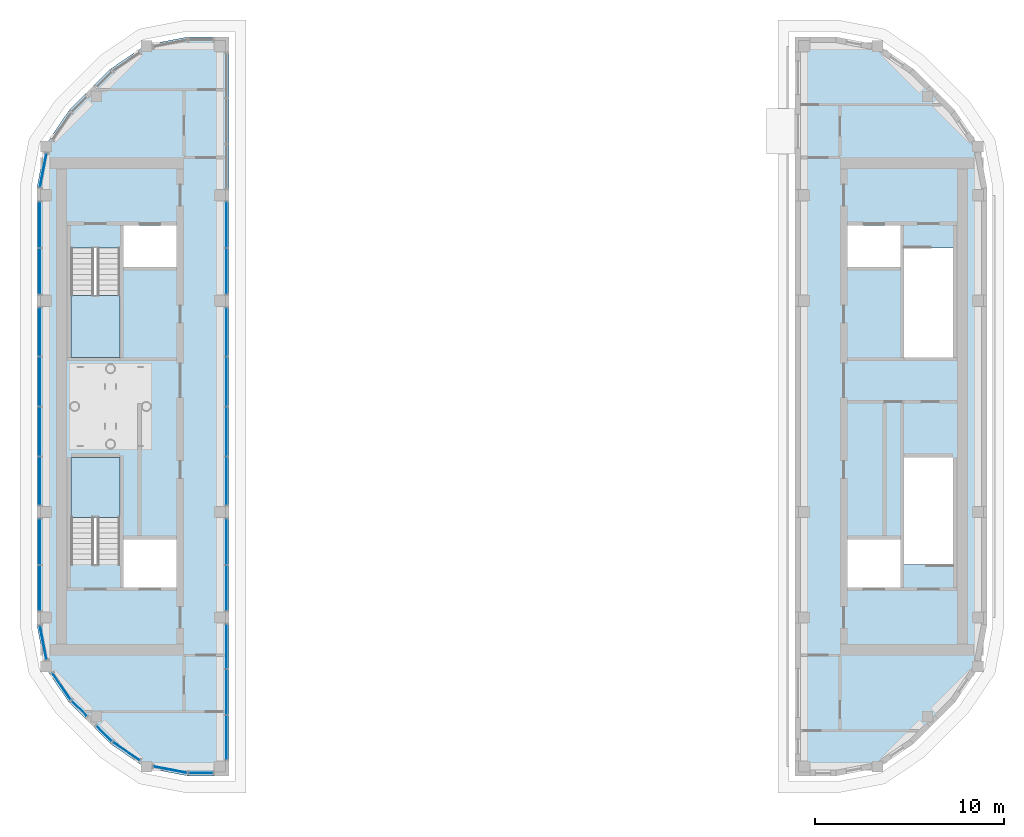
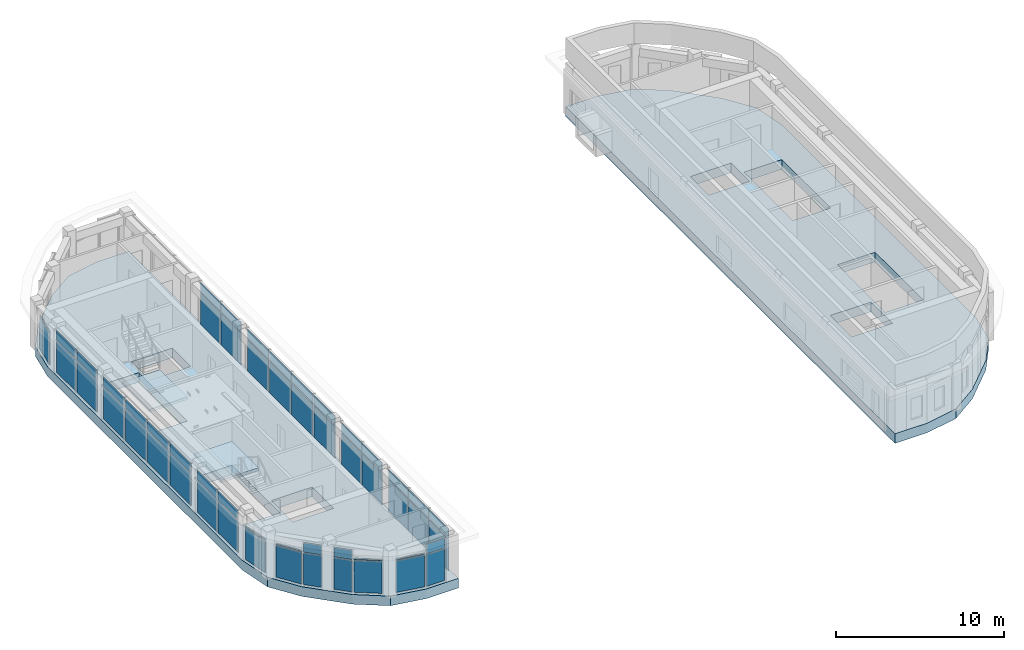
# One storey, part 7 of 16: 54 plates, 4 slabs, 17 elements without a shape of their own.
"""IFC4 building model written with IfcOpenShell, lengths in metres."""

from ifc_helpers import new_model, si_unit, direction, frame, origin, origin_2d, place, context, subcontext, project, spatial, polyline, rectangle, outline, extrude, material, layer, layer_set, type_object, element, aggregate, save


model = new_model("IFC4")

# Units and contexts
model_context = context("Model", 3, precision=1e-05, world=origin(), true_north=direction((0.0, 1.0)))
body_context = subcontext(model_context, "Body", "Model", "MODEL_VIEW")
ifc_project = project(units=[si_unit("LENGTHUNIT", "METRE"), si_unit("AREAUNIT", "SQUARE_METRE"), si_unit("VOLUMEUNIT", "CUBIC_METRE"), si_unit("PLANEANGLEUNIT", "RADIAN"), si_unit("MASSUNIT", "GRAM", prefix="KILO")], contexts=[model_context])

# Site, building, storey
site_placement = place(None, origin())
site = spatial("IfcSite", under=ifc_project, at=site_placement, CompositionType="ELEMENT")
building_placement = place(site_placement, origin())
building = spatial("IfcBuilding", under=site, at=building_placement, Name="Kiln Ring Residences", CompositionType="ELEMENT")
storey_placement = place(building_placement, frame((0.0, 0.0, 313.89990234375)))
storey = spatial("IfcBuildingStorey", under=building, at=storey_placement, Name="L81 Crown", CompositionType="ELEMENT", Elevation=313.89990234375)

# Stair, slab
ifc_material_1 = material(Name="Concrete C40/50", Category="concrete")
stair_type = type_object("IfcStairType", Name="CORE-STAIR", PredefinedType="HALF_TURN_STAIR", material=ifc_material_1)
placement_1 = place(storey_placement, origin())
stair_1 = element("IfcStair", 1, at=placement_1, inside=storey, type_object=stair_type, Name="L81 Crown stair W-STN", PredefinedType="HALF_TURN_STAIR")
ifc_material_2 = material(Name="Concrete C40/50", Category="concrete")
ifc_layer_1 = layer(ifc_material_2, 0.199951171875)
ifc_layer_set_1 = layer_set([ifc_layer_1], Name="CORE-STAIR-LANDING")
slab_type_1 = type_object("IfcSlabType", Name="CORE-STAIR-LANDING", PredefinedType="LANDING", material=ifc_layer_set_1)
placement_2 = place(storey_placement, frame((0.0, 0.0, 1.550048828125)))
slab_1 = element("IfcSlab", 2, at=placement_2, type_object=slab_type_1, Name="W-STN landing 1", PredefinedType="LANDING", context=body_context, shape_type="SweptSolid", body=[
    extrude(outline(polyline([(-23.39990234375, 5.8798828125), (-23.39990234375, 2.60009765625), (-20.800048828125, 2.60009765625), (-20.800048828125, 5.8798828125), (-23.39990234375, 5.8798828125)])), origin(), (0.0, 0.0, 1.0), 0.199951171875),
])
aggregate(stair_1, [slab_1])

stair_2 = element("IfcStair", 3, at=placement_1, inside=storey, type_object=stair_type, Name="L81 Crown stair W-STS", PredefinedType="HALF_TURN_STAIR")
slab_2 = element("IfcSlab", 4, at=placement_2, type_object=slab_type_1, Name="W-STS landing 1", PredefinedType="LANDING", context=body_context, shape_type="SweptSolid", body=[
    extrude(outline(polyline([(-20.800048828125, -5.8798828125), (-20.800048828125, -2.699951171875), (-23.39990234375, -2.699951171875), (-23.39990234375, -5.8798828125), (-20.800048828125, -5.8798828125)])), origin(), (0.0, 0.0, 1.0), 0.199951171875),
])
aggregate(stair_2, [slab_2])

# Curtain wall, plates
ifc_material_3 = material(Name="Aluminium and glass", Category="aluminium")
ifc_layer_2 = layer(ifc_material_3, 0.25)
ifc_layer_set_2 = layer_set([ifc_layer_2], Name="CW4 CURTAIN WALL")
curtain_wall_type = type_object("IfcCurtainWallType", Name="CW4 CURTAIN WALL", PredefinedType="NOTDEFINED", material=ifc_layer_set_2)
curtain_wall_1 = element("IfcCurtainWall", 5, at=placement_1, inside=storey, type_object=curtain_wall_type, Name="Curtain wall CW4 L81 Crown", PredefinedType="NOTDEFINED")
ifc_material_4 = material(Name="Glass, low-iron laminated", Category="glass")
ifc_layer_3 = layer(ifc_material_4, 0.035888671875)
ifc_layer_set_3 = layer_set([ifc_layer_3], Name="CW4 PANEL 36")
plate_type = type_object("IfcPlateType", Name="CW4 PANEL 36", PredefinedType="CURTAIN_PANEL", material=ifc_layer_set_3)
plate_1_placement = place(storey_placement, frame((-20.452880859375, -18.29541015625, 0.080078125), z_axis=(0.0, 0.0, 1.0), x_axis=(0.827071553527, -0.56209665125, 0.0)))
plate_1 = element("IfcPlate", 6, at=plate_1_placement, type_object=plate_type, Name="CW4 panel 1.1", PredefinedType="CURTAIN_PANEL", context=body_context, shape_type="SweptSolid", body=[
    extrude(rectangle(XDim=1.677734375, YDim=0.035888671875, at=origin_2d()), origin(), (0.0, 0.0, 1.0), 2.280029296875),
])
plate_2_placement = place(storey_placement, frame((-20.452880859375, -18.29541015625, 2.43994140625), z_axis=(0.0, 0.0, 1.0), x_axis=(0.827071553527, -0.56209665125, 0.0)))
plate_2 = element("IfcPlate", 7, at=plate_2_placement, type_object=plate_type, Name="CW4 panel 1.2", PredefinedType="CURTAIN_PANEL", context=body_context, shape_type="SweptSolid", body=[
    extrude(rectangle(XDim=1.677734375, YDim=0.035888671875, at=origin_2d()), origin(), (0.0, 0.0, 1.0), 0.080078125),
])
aggregate(curtain_wall_1, [plate_1, plate_2])

curtain_wall_2 = element("IfcCurtainWall", 8, at=placement_1, inside=storey, type_object=curtain_wall_type, Name="Curtain wall CW4 L81 Crown", PredefinedType="NOTDEFINED")
plate_3_placement = place(storey_placement, frame((-18.12841796875, -19.270263671875, 0.080078125), z_axis=(0.0, 0.0, 1.0), x_axis=(0.982290257777, -0.187365550399, 0.0)))
plate_3 = element("IfcPlate", 9, at=plate_3_placement, type_object=plate_type, Name="CW4 panel 1.1", PredefinedType="CURTAIN_PANEL", context=body_context, shape_type="SweptSolid", body=[
    extrude(rectangle(XDim=1.787841796875, YDim=0.035888671875, at=origin_2d()), origin(), (0.0, 0.0, 1.0), 2.280029296875),
])
plate_4_placement = place(storey_placement, frame((-18.12841796875, -19.270263671875, 2.43994140625), z_axis=(0.0, 0.0, 1.0), x_axis=(0.982290257777, -0.187365550399, 0.0)))
plate_4 = element("IfcPlate", 10, at=plate_4_placement, type_object=plate_type, Name="CW4 panel 1.2", PredefinedType="CURTAIN_PANEL", context=body_context, shape_type="SweptSolid", body=[
    extrude(rectangle(XDim=1.787841796875, YDim=0.035888671875, at=origin_2d()), origin(), (0.0, 0.0, 1.0), 0.080078125),
])
aggregate(curtain_wall_2, [plate_3, plate_4])

curtain_wall_3 = element("IfcCurtainWall", 11, at=placement_1, inside=storey, type_object=curtain_wall_type, Name="Curtain wall CW4 L81 Crown", PredefinedType="NOTDEFINED")
plate_5_placement = place(storey_placement, frame((-16.5, -19.449951171875, 0.080078125), z_axis=(0.0, 0.0, 1.0), x_axis=(1.0, 0.0, 0.0)))
plate_5 = element("IfcPlate", 12, at=plate_5_placement, type_object=plate_type, Name="CW4 panel 1.1", PredefinedType="CURTAIN_PANEL", context=body_context, shape_type="SweptSolid", body=[
    extrude(rectangle(XDim=1.239990234375, YDim=0.035888671875, at=origin_2d()), origin(), (0.0, 0.0, 1.0), 2.280029296875),
])
plate_6_placement = place(storey_placement, frame((-16.5, -19.449951171875, 2.43994140625), z_axis=(0.0, 0.0, 1.0), x_axis=(1.0, 0.0, 0.0)))
plate_6 = element("IfcPlate", 13, at=plate_6_placement, type_object=plate_type, Name="CW4 panel 1.2", PredefinedType="CURTAIN_PANEL", context=body_context, shape_type="SweptSolid", body=[
    extrude(rectangle(XDim=1.239990234375, YDim=0.035888671875, at=origin_2d()), origin(), (0.0, 0.0, 1.0), 0.679931640625),
])
aggregate(curtain_wall_3, [plate_5, plate_6])

curtain_wall_4 = element("IfcCurtainWall", 14, at=placement_1, inside=storey, type_object=curtain_wall_type, Name="Curtain wall CW4 L81 Crown", PredefinedType="NOTDEFINED")
plate_7_placement = place(storey_placement, frame((-15.14990234375, -17.563232421875, 0.080078125), z_axis=(0.0, 0.0, 1.0), x_axis=(0.0, 1.0, 0.0)))
plate_7 = element("IfcPlate", 15, at=plate_7_placement, type_object=plate_type, Name="CW4 panel 1.1", PredefinedType="CURTAIN_PANEL", context=body_context, shape_type="SweptSolid", body=[
    extrude(rectangle(XDim=2.313232421875, YDim=0.035888671875, at=origin_2d()), origin(), (0.0, 0.0, 1.0), 2.280029296875),
])
plate_8_placement = place(storey_placement, frame((-15.14990234375, -17.563232421875, 2.43994140625), z_axis=(0.0, 0.0, 1.0), x_axis=(0.0, 1.0, 0.0)))
plate_8 = element("IfcPlate", 16, at=plate_8_placement, type_object=plate_type, Name="CW4 panel 1.2", PredefinedType="CURTAIN_PANEL", context=body_context, shape_type="SweptSolid", body=[
    extrude(rectangle(XDim=2.313232421875, YDim=0.035888671875, at=origin_2d()), origin(), (0.0, 0.0, 1.0), 0.679931640625),
])
plate_9_placement = place(storey_placement, frame((-15.14990234375, -15.14990234375, 0.080078125), z_axis=(0.0, 0.0, 1.0), x_axis=(0.0, 1.0, 0.0)))
plate_9 = element("IfcPlate", 17, at=plate_9_placement, type_object=plate_type, Name="CW4 panel 2.1", PredefinedType="CURTAIN_PANEL", context=body_context, shape_type="SweptSolid", body=[
    extrude(rectangle(XDim=2.353271484375, YDim=0.035888671875, at=origin_2d()), origin(), (0.0, 0.0, 1.0), 2.280029296875),
])
plate_10_placement = place(storey_placement, frame((-15.14990234375, -15.14990234375, 2.43994140625), z_axis=(0.0, 0.0, 1.0), x_axis=(0.0, 1.0, 0.0)))
plate_10 = element("IfcPlate", 18, at=plate_10_placement, type_object=plate_type, Name="CW4 panel 2.2", PredefinedType="CURTAIN_PANEL", context=body_context, shape_type="SweptSolid", body=[
    extrude(rectangle(XDim=2.353271484375, YDim=0.035888671875, at=origin_2d()), origin(), (0.0, 0.0, 1.0), 0.679931640625),
])
plate_11_placement = place(storey_placement, frame((-15.14990234375, -12.736572265625, 0.080078125), z_axis=(0.0, 0.0, 1.0), x_axis=(0.0, 1.0, 0.0)))
plate_11 = element("IfcPlate", 19, at=plate_11_placement, type_object=plate_type, Name="CW4 panel 3.1", PredefinedType="CURTAIN_PANEL", context=body_context, shape_type="SweptSolid", body=[
    extrude(rectangle(XDim=2.313232421875, YDim=0.035888671875, at=origin_2d()), origin(), (0.0, 0.0, 1.0), 2.280029296875),
])
plate_12_placement = place(storey_placement, frame((-15.14990234375, -12.736572265625, 2.43994140625), z_axis=(0.0, 0.0, 1.0), x_axis=(0.0, 1.0, 0.0)))
plate_12 = element("IfcPlate", 20, at=plate_12_placement, type_object=plate_type, Name="CW4 panel 3.2", PredefinedType="CURTAIN_PANEL", context=body_context, shape_type="SweptSolid", body=[
    extrude(rectangle(XDim=2.313232421875, YDim=0.035888671875, at=origin_2d()), origin(), (0.0, 0.0, 1.0), 0.679931640625),
])
aggregate(curtain_wall_4, [plate_7, plate_8, plate_9, plate_10, plate_11, plate_12])

curtain_wall_5 = element("IfcCurtainWall", 21, at=placement_1, inside=storey, type_object=curtain_wall_type, Name="Curtain wall CW4 L81 Crown", PredefinedType="NOTDEFINED")
plate_13_placement = place(storey_placement, frame((-15.14990234375, -9.6298828125, 0.080078125), z_axis=(0.0, 0.0, 1.0), x_axis=(0.0, 1.0, 0.0)))
plate_13 = element("IfcPlate", 22, at=plate_13_placement, type_object=plate_type, Name="CW4 panel 1.1", PredefinedType="CURTAIN_PANEL", context=body_context, shape_type="SweptSolid", body=[
    extrude(rectangle(XDim=2.3798828125, YDim=0.035888671875, at=origin_2d()), origin(), (0.0, 0.0, 1.0), 2.280029296875),
])
plate_14_placement = place(storey_placement, frame((-15.14990234375, -9.6298828125, 2.43994140625), z_axis=(0.0, 0.0, 1.0), x_axis=(0.0, 1.0, 0.0)))
plate_14 = element("IfcPlate", 23, at=plate_14_placement, type_object=plate_type, Name="CW4 panel 1.2", PredefinedType="CURTAIN_PANEL", context=body_context, shape_type="SweptSolid", body=[
    extrude(rectangle(XDim=2.3798828125, YDim=0.035888671875, at=origin_2d()), origin(), (0.0, 0.0, 1.0), 0.679931640625),
])
plate_15_placement = place(storey_placement, frame((-15.14990234375, -7.169921875, 0.080078125), z_axis=(0.0, 0.0, 1.0), x_axis=(0.0, 1.0, 0.0)))
plate_15 = element("IfcPlate", 24, at=plate_15_placement, type_object=plate_type, Name="CW4 panel 2.1", PredefinedType="CURTAIN_PANEL", context=body_context, shape_type="SweptSolid", body=[
    extrude(rectangle(XDim=2.3798828125, YDim=0.035888671875, at=origin_2d()), origin(), (0.0, 0.0, 1.0), 2.280029296875),
])
plate_16_placement = place(storey_placement, frame((-15.14990234375, -7.169921875, 2.43994140625), z_axis=(0.0, 0.0, 1.0), x_axis=(0.0, 1.0, 0.0)))
plate_16 = element("IfcPlate", 25, at=plate_16_placement, type_object=plate_type, Name="CW4 panel 2.2", PredefinedType="CURTAIN_PANEL", context=body_context, shape_type="SweptSolid", body=[
    extrude(rectangle(XDim=2.3798828125, YDim=0.035888671875, at=origin_2d()), origin(), (0.0, 0.0, 1.0), 0.679931640625),
])
aggregate(curtain_wall_5, [plate_13, plate_14, plate_15, plate_16])

curtain_wall_6 = element("IfcCurtainWall", 26, at=placement_1, inside=storey, type_object=curtain_wall_type, Name="Curtain wall CW4 L81 Crown", PredefinedType="NOTDEFINED")
plate_17_placement = place(storey_placement, frame((-15.14990234375, -3.955078125, 0.080078125), z_axis=(0.0, 0.0, 1.0), x_axis=(0.0, 1.0, 0.0)))
plate_17 = element("IfcPlate", 27, at=plate_17_placement, type_object=plate_type, Name="CW4 panel 1.1", PredefinedType="CURTAIN_PANEL", context=body_context, shape_type="SweptSolid", body=[
    extrude(rectangle(XDim=2.530029296875, YDim=0.035888671875, at=origin_2d()), origin(), (0.0, 0.0, 1.0), 2.280029296875),
])
plate_18_placement = place(storey_placement, frame((-15.14990234375, -3.955078125, 2.43994140625), z_axis=(0.0, 0.0, 1.0), x_axis=(0.0, 1.0, 0.0)))
plate_18 = element("IfcPlate", 28, at=plate_18_placement, type_object=plate_type, Name="CW4 panel 1.2", PredefinedType="CURTAIN_PANEL", context=body_context, shape_type="SweptSolid", body=[
    extrude(rectangle(XDim=2.530029296875, YDim=0.035888671875, at=origin_2d()), origin(), (0.0, 0.0, 1.0), 0.679931640625),
])
plate_19_placement = place(storey_placement, frame((-15.14990234375, -1.324951171875, 0.080078125), z_axis=(0.0, 0.0, 1.0), x_axis=(0.0, 1.0, 0.0)))
plate_19 = element("IfcPlate", 29, at=plate_19_placement, type_object=plate_type, Name="CW4 panel 2.1", PredefinedType="CURTAIN_PANEL", context=body_context, shape_type="SweptSolid", body=[
    extrude(rectangle(XDim=2.570068359375, YDim=0.035888671875, at=origin_2d()), origin(), (0.0, 0.0, 1.0), 2.280029296875),
])
plate_20_placement = place(storey_placement, frame((-15.14990234375, -1.324951171875, 2.43994140625), z_axis=(0.0, 0.0, 1.0), x_axis=(0.0, 1.0, 0.0)))
plate_20 = element("IfcPlate", 30, at=plate_20_placement, type_object=plate_type, Name="CW4 panel 2.2", PredefinedType="CURTAIN_PANEL", context=body_context, shape_type="SweptSolid", body=[
    extrude(rectangle(XDim=2.570068359375, YDim=0.035888671875, at=origin_2d()), origin(), (0.0, 0.0, 1.0), 0.679931640625),
])
plate_21_placement = place(storey_placement, frame((-15.14990234375, 1.324951171875, 0.080078125), z_axis=(0.0, 0.0, 1.0), x_axis=(0.0, 1.0, 0.0)))
plate_21 = element("IfcPlate", 31, at=plate_21_placement, type_object=plate_type, Name="CW4 panel 3.1", PredefinedType="CURTAIN_PANEL", context=body_context, shape_type="SweptSolid", body=[
    extrude(rectangle(XDim=2.570068359375, YDim=0.035888671875, at=origin_2d()), origin(), (0.0, 0.0, 1.0), 2.280029296875),
])
plate_22_placement = place(storey_placement, frame((-15.14990234375, 1.324951171875, 2.43994140625), z_axis=(0.0, 0.0, 1.0), x_axis=(0.0, 1.0, 0.0)))
plate_22 = element("IfcPlate", 32, at=plate_22_placement, type_object=plate_type, Name="CW4 panel 3.2", PredefinedType="CURTAIN_PANEL", context=body_context, shape_type="SweptSolid", body=[
    extrude(rectangle(XDim=2.570068359375, YDim=0.035888671875, at=origin_2d()), origin(), (0.0, 0.0, 1.0), 0.679931640625),
])
plate_23_placement = place(storey_placement, frame((-15.14990234375, 3.955078125, 0.080078125), z_axis=(0.0, 0.0, 1.0), x_axis=(0.0, 1.0, 0.0)))
plate_23 = element("IfcPlate", 33, at=plate_23_placement, type_object=plate_type, Name="CW4 panel 4.1", PredefinedType="CURTAIN_PANEL", context=body_context, shape_type="SweptSolid", body=[
    extrude(rectangle(XDim=2.530029296875, YDim=0.035888671875, at=origin_2d()), origin(), (0.0, 0.0, 1.0), 2.280029296875),
])
plate_24_placement = place(storey_placement, frame((-15.14990234375, 3.955078125, 2.43994140625), z_axis=(0.0, 0.0, 1.0), x_axis=(0.0, 1.0, 0.0)))
plate_24 = element("IfcPlate", 34, at=plate_24_placement, type_object=plate_type, Name="CW4 panel 4.2", PredefinedType="CURTAIN_PANEL", context=body_context, shape_type="SweptSolid", body=[
    extrude(rectangle(XDim=2.530029296875, YDim=0.035888671875, at=origin_2d()), origin(), (0.0, 0.0, 1.0), 0.679931640625),
])
aggregate(curtain_wall_6, [plate_17, plate_18, plate_19, plate_20, plate_21, plate_22, plate_23, plate_24])

curtain_wall_7 = element("IfcCurtainWall", 35, at=placement_1, inside=storey, type_object=curtain_wall_type, Name="Curtain wall CW4 L81 Crown", PredefinedType="NOTDEFINED")
plate_25_placement = place(storey_placement, frame((-15.14990234375, 7.169921875, 0.080078125), z_axis=(0.0, 0.0, 1.0), x_axis=(0.0, 1.0, 0.0)))
plate_25 = element("IfcPlate", 36, at=plate_25_placement, type_object=plate_type, Name="CW4 panel 1.1", PredefinedType="CURTAIN_PANEL", context=body_context, shape_type="SweptSolid", body=[
    extrude(rectangle(XDim=2.3798828125, YDim=0.035888671875, at=origin_2d()), origin(), (0.0, 0.0, 1.0), 2.280029296875),
])
plate_26_placement = place(storey_placement, frame((-15.14990234375, 7.169921875, 2.43994140625), z_axis=(0.0, 0.0, 1.0), x_axis=(0.0, 1.0, 0.0)))
plate_26 = element("IfcPlate", 37, at=plate_26_placement, type_object=plate_type, Name="CW4 panel 1.2", PredefinedType="CURTAIN_PANEL", context=body_context, shape_type="SweptSolid", body=[
    extrude(rectangle(XDim=2.3798828125, YDim=0.035888671875, at=origin_2d()), origin(), (0.0, 0.0, 1.0), 0.679931640625),
])
plate_27_placement = place(storey_placement, frame((-15.14990234375, 9.6298828125, 0.080078125), z_axis=(0.0, 0.0, 1.0), x_axis=(0.0, 1.0, 0.0)))
plate_27 = element("IfcPlate", 38, at=plate_27_placement, type_object=plate_type, Name="CW4 panel 2.1", PredefinedType="CURTAIN_PANEL", context=body_context, shape_type="SweptSolid", body=[
    extrude(rectangle(XDim=2.3798828125, YDim=0.035888671875, at=origin_2d()), origin(), (0.0, 0.0, 1.0), 2.280029296875),
])
plate_28_placement = place(storey_placement, frame((-15.14990234375, 9.6298828125, 2.43994140625), z_axis=(0.0, 0.0, 1.0), x_axis=(0.0, 1.0, 0.0)))
plate_28 = element("IfcPlate", 39, at=plate_28_placement, type_object=plate_type, Name="CW4 panel 2.2", PredefinedType="CURTAIN_PANEL", context=body_context, shape_type="SweptSolid", body=[
    extrude(rectangle(XDim=2.3798828125, YDim=0.035888671875, at=origin_2d()), origin(), (0.0, 0.0, 1.0), 0.679931640625),
])
aggregate(curtain_wall_7, [plate_25, plate_26, plate_27, plate_28])

curtain_wall_8 = element("IfcCurtainWall", 40, at=placement_1, inside=storey, type_object=curtain_wall_type, Name="Curtain wall CW4 L81 Crown", PredefinedType="NOTDEFINED")
plate_29_placement = place(storey_placement, frame((-24.8701171875, 12.52880859375, 0.080078125), z_axis=(0.0, 0.0, 1.0), x_axis=(-0.187365550416, -0.982290257774, 0.0)))
plate_29 = element("IfcPlate", 41, at=plate_29_placement, type_object=plate_type, Name="CW4 panel 1.1", PredefinedType="CURTAIN_PANEL", context=body_context, shape_type="SweptSolid", body=[
    extrude(rectangle(XDim=1.786865234375, YDim=0.035888671875, at=origin_2d()), origin(), (0.0, 0.0, 1.0), 2.280029296875),
])
plate_30_placement = place(storey_placement, frame((-24.8701171875, 12.52880859375, 2.43994140625), z_axis=(0.0, 0.0, 1.0), x_axis=(-0.187365550416, -0.982290257774, 0.0)))
plate_30 = element("IfcPlate", 42, at=plate_30_placement, type_object=plate_type, Name="CW4 panel 1.2", PredefinedType="CURTAIN_PANEL", context=body_context, shape_type="SweptSolid", body=[
    extrude(rectangle(XDim=1.786865234375, YDim=0.035888671875, at=origin_2d()), origin(), (0.0, 0.0, 1.0), 0.080078125),
])
aggregate(curtain_wall_8, [plate_29, plate_30])

curtain_wall_9 = element("IfcCurtainWall", 43, at=placement_1, inside=storey, type_object=curtain_wall_type, Name="Curtain wall CW4 L81 Crown", PredefinedType="NOTDEFINED")
plate_31_placement = place(storey_placement, frame((-25.050048828125, 9.6298828125, 0.080078125), z_axis=(0.0, 0.0, 1.0), x_axis=(0.0, -1.0, 0.0)))
plate_31 = element("IfcPlate", 44, at=plate_31_placement, type_object=plate_type, Name="CW4 panel 1.1", PredefinedType="CURTAIN_PANEL", context=body_context, shape_type="SweptSolid", body=[
    extrude(rectangle(XDim=2.3798828125, YDim=0.035888671875, at=origin_2d()), origin(), (0.0, 0.0, 1.0), 2.280029296875),
])
plate_32_placement = place(storey_placement, frame((-25.050048828125, 9.6298828125, 2.43994140625), z_axis=(0.0, 0.0, 1.0), x_axis=(0.0, -1.0, 0.0)))
plate_32 = element("IfcPlate", 45, at=plate_32_placement, type_object=plate_type, Name="CW4 panel 1.2", PredefinedType="CURTAIN_PANEL", context=body_context, shape_type="SweptSolid", body=[
    extrude(rectangle(XDim=2.3798828125, YDim=0.035888671875, at=origin_2d()), origin(), (0.0, 0.0, 1.0), 0.679931640625),
])
plate_33_placement = place(storey_placement, frame((-25.050048828125, 7.169921875, 0.080078125), z_axis=(0.0, 0.0, 1.0), x_axis=(0.0, -1.0, 0.0)))
plate_33 = element("IfcPlate", 46, at=plate_33_placement, type_object=plate_type, Name="CW4 panel 2.1", PredefinedType="CURTAIN_PANEL", context=body_context, shape_type="SweptSolid", body=[
    extrude(rectangle(XDim=2.3798828125, YDim=0.035888671875, at=origin_2d()), origin(), (0.0, 0.0, 1.0), 2.280029296875),
])
plate_34_placement = place(storey_placement, frame((-25.050048828125, 7.169921875, 2.43994140625), z_axis=(0.0, 0.0, 1.0), x_axis=(0.0, -1.0, 0.0)))
plate_34 = element("IfcPlate", 47, at=plate_34_placement, type_object=plate_type, Name="CW4 panel 2.2", PredefinedType="CURTAIN_PANEL", context=body_context, shape_type="SweptSolid", body=[
    extrude(rectangle(XDim=2.3798828125, YDim=0.035888671875, at=origin_2d()), origin(), (0.0, 0.0, 1.0), 0.679931640625),
])
aggregate(curtain_wall_9, [plate_31, plate_32, plate_33, plate_34])

curtain_wall_10 = element("IfcCurtainWall", 48, at=placement_1, inside=storey, type_object=curtain_wall_type, Name="Curtain wall CW4 L81 Crown", PredefinedType="NOTDEFINED")
plate_35_placement = place(storey_placement, frame((-25.050048828125, 3.955078125, 0.080078125), z_axis=(0.0, 0.0, 1.0), x_axis=(0.0, -1.0, 0.0)))
plate_35 = element("IfcPlate", 49, at=plate_35_placement, type_object=plate_type, Name="CW4 panel 1.1", PredefinedType="CURTAIN_PANEL", context=body_context, shape_type="SweptSolid", body=[
    extrude(rectangle(XDim=2.530029296875, YDim=0.035888671875, at=origin_2d()), origin(), (0.0, 0.0, 1.0), 2.280029296875),
])
plate_36_placement = place(storey_placement, frame((-25.050048828125, 3.955078125, 2.43994140625), z_axis=(0.0, 0.0, 1.0), x_axis=(0.0, -1.0, 0.0)))
plate_36 = element("IfcPlate", 50, at=plate_36_placement, type_object=plate_type, Name="CW4 panel 1.2", PredefinedType="CURTAIN_PANEL", context=body_context, shape_type="SweptSolid", body=[
    extrude(rectangle(XDim=2.530029296875, YDim=0.035888671875, at=origin_2d()), origin(), (0.0, 0.0, 1.0), 0.679931640625),
])
plate_37_placement = place(storey_placement, frame((-25.050048828125, 1.324951171875, 0.080078125), z_axis=(0.0, 0.0, 1.0), x_axis=(0.0, -1.0, 0.0)))
plate_37 = element("IfcPlate", 51, at=plate_37_placement, type_object=plate_type, Name="CW4 panel 2.1", PredefinedType="CURTAIN_PANEL", context=body_context, shape_type="SweptSolid", body=[
    extrude(rectangle(XDim=2.570068359375, YDim=0.035888671875, at=origin_2d()), origin(), (0.0, 0.0, 1.0), 2.280029296875),
])
plate_38_placement = place(storey_placement, frame((-25.050048828125, 1.324951171875, 2.43994140625), z_axis=(0.0, 0.0, 1.0), x_axis=(0.0, -1.0, 0.0)))
plate_38 = element("IfcPlate", 52, at=plate_38_placement, type_object=plate_type, Name="CW4 panel 2.2", PredefinedType="CURTAIN_PANEL", context=body_context, shape_type="SweptSolid", body=[
    extrude(rectangle(XDim=2.570068359375, YDim=0.035888671875, at=origin_2d()), origin(), (0.0, 0.0, 1.0), 0.679931640625),
])
plate_39_placement = place(storey_placement, frame((-25.050048828125, -1.324951171875, 0.080078125), z_axis=(0.0, 0.0, 1.0), x_axis=(0.0, -1.0, 0.0)))
plate_39 = element("IfcPlate", 53, at=plate_39_placement, type_object=plate_type, Name="CW4 panel 3.1", PredefinedType="CURTAIN_PANEL", context=body_context, shape_type="SweptSolid", body=[
    extrude(rectangle(XDim=2.570068359375, YDim=0.035888671875, at=origin_2d()), origin(), (0.0, 0.0, 1.0), 2.280029296875),
])
plate_40_placement = place(storey_placement, frame((-25.050048828125, -1.324951171875, 2.43994140625), z_axis=(0.0, 0.0, 1.0), x_axis=(0.0, -1.0, 0.0)))
plate_40 = element("IfcPlate", 54, at=plate_40_placement, type_object=plate_type, Name="CW4 panel 3.2", PredefinedType="CURTAIN_PANEL", context=body_context, shape_type="SweptSolid", body=[
    extrude(rectangle(XDim=2.570068359375, YDim=0.035888671875, at=origin_2d()), origin(), (0.0, 0.0, 1.0), 0.679931640625),
])
plate_41_placement = place(storey_placement, frame((-25.050048828125, -3.955078125, 0.080078125), z_axis=(0.0, 0.0, 1.0), x_axis=(0.0, -1.0, 0.0)))
plate_41 = element("IfcPlate", 55, at=plate_41_placement, type_object=plate_type, Name="CW4 panel 4.1", PredefinedType="CURTAIN_PANEL", context=body_context, shape_type="SweptSolid", body=[
    extrude(rectangle(XDim=2.530029296875, YDim=0.035888671875, at=origin_2d()), origin(), (0.0, 0.0, 1.0), 2.280029296875),
])
plate_42_placement = place(storey_placement, frame((-25.050048828125, -3.955078125, 2.43994140625), z_axis=(0.0, 0.0, 1.0), x_axis=(0.0, -1.0, 0.0)))
plate_42 = element("IfcPlate", 56, at=plate_42_placement, type_object=plate_type, Name="CW4 panel 4.2", PredefinedType="CURTAIN_PANEL", context=body_context, shape_type="SweptSolid", body=[
    extrude(rectangle(XDim=2.530029296875, YDim=0.035888671875, at=origin_2d()), origin(), (0.0, 0.0, 1.0), 0.679931640625),
])
aggregate(curtain_wall_10, [plate_35, plate_36, plate_37, plate_38, plate_39, plate_40, plate_41, plate_42])

curtain_wall_11 = element("IfcCurtainWall", 57, at=placement_1, inside=storey, type_object=curtain_wall_type, Name="Curtain wall CW4 L81 Crown", PredefinedType="NOTDEFINED")
plate_43_placement = place(storey_placement, frame((-25.050048828125, -7.169921875, 0.080078125), z_axis=(0.0, 0.0, 1.0), x_axis=(0.0, -1.0, 0.0)))
plate_43 = element("IfcPlate", 58, at=plate_43_placement, type_object=plate_type, Name="CW4 panel 1.1", PredefinedType="CURTAIN_PANEL", context=body_context, shape_type="SweptSolid", body=[
    extrude(rectangle(XDim=2.3798828125, YDim=0.035888671875, at=origin_2d()), origin(), (0.0, 0.0, 1.0), 2.280029296875),
])
plate_44_placement = place(storey_placement, frame((-25.050048828125, -7.169921875, 2.43994140625), z_axis=(0.0, 0.0, 1.0), x_axis=(0.0, -1.0, 0.0)))
plate_44 = element("IfcPlate", 59, at=plate_44_placement, type_object=plate_type, Name="CW4 panel 1.2", PredefinedType="CURTAIN_PANEL", context=body_context, shape_type="SweptSolid", body=[
    extrude(rectangle(XDim=2.3798828125, YDim=0.035888671875, at=origin_2d()), origin(), (0.0, 0.0, 1.0), 0.679931640625),
])
plate_45_placement = place(storey_placement, frame((-25.050048828125, -9.6298828125, 0.080078125), z_axis=(0.0, 0.0, 1.0), x_axis=(0.0, -1.0, 0.0)))
plate_45 = element("IfcPlate", 60, at=plate_45_placement, type_object=plate_type, Name="CW4 panel 2.1", PredefinedType="CURTAIN_PANEL", context=body_context, shape_type="SweptSolid", body=[
    extrude(rectangle(XDim=2.3798828125, YDim=0.035888671875, at=origin_2d()), origin(), (0.0, 0.0, 1.0), 2.280029296875),
])
plate_46_placement = place(storey_placement, frame((-25.050048828125, -9.6298828125, 2.43994140625), z_axis=(0.0, 0.0, 1.0), x_axis=(0.0, -1.0, 0.0)))
plate_46 = element("IfcPlate", 61, at=plate_46_placement, type_object=plate_type, Name="CW4 panel 2.2", PredefinedType="CURTAIN_PANEL", context=body_context, shape_type="SweptSolid", body=[
    extrude(rectangle(XDim=2.3798828125, YDim=0.035888671875, at=origin_2d()), origin(), (0.0, 0.0, 1.0), 0.679931640625),
])
aggregate(curtain_wall_11, [plate_43, plate_44, plate_45, plate_46])

curtain_wall_12 = element("IfcCurtainWall", 62, at=placement_1, inside=storey, type_object=curtain_wall_type, Name="Curtain wall CW4 L81 Crown", PredefinedType="NOTDEFINED")
plate_47_placement = place(storey_placement, frame((-24.8701171875, -12.52880859375, 0.080078125), z_axis=(0.0, 0.0, 1.0), x_axis=(0.187365550416, -0.982290257774, 0.0)))
plate_47 = element("IfcPlate", 63, at=plate_47_placement, type_object=plate_type, Name="CW4 panel 1.1", PredefinedType="CURTAIN_PANEL", context=body_context, shape_type="SweptSolid", body=[
    extrude(rectangle(XDim=1.786865234375, YDim=0.035888671875, at=origin_2d()), origin(), (0.0, 0.0, 1.0), 2.280029296875),
])
plate_48_placement = place(storey_placement, frame((-24.8701171875, -12.52880859375, 2.43994140625), z_axis=(0.0, 0.0, 1.0), x_axis=(0.187365550416, -0.982290257774, 0.0)))
plate_48 = element("IfcPlate", 64, at=plate_48_placement, type_object=plate_type, Name="CW4 panel 1.2", PredefinedType="CURTAIN_PANEL", context=body_context, shape_type="SweptSolid", body=[
    extrude(rectangle(XDim=1.786865234375, YDim=0.035888671875, at=origin_2d()), origin(), (0.0, 0.0, 1.0), 0.080078125),
])
aggregate(curtain_wall_12, [plate_47, plate_48])

curtain_wall_13 = element("IfcCurtainWall", 65, at=placement_1, inside=storey, type_object=curtain_wall_type, Name="Curtain wall CW4 L81 Crown", PredefinedType="NOTDEFINED")
plate_49_placement = place(storey_placement, frame((-23.895263671875, -14.852783203125, 0.080078125), z_axis=(0.0, 0.0, 1.0), x_axis=(0.56209665125, -0.827071553527, 0.0)))
plate_49 = element("IfcPlate", 66, at=plate_49_placement, type_object=plate_type, Name="CW4 panel 1.1", PredefinedType="CURTAIN_PANEL", context=body_context, shape_type="SweptSolid", body=[
    extrude(rectangle(XDim=1.677734375, YDim=0.035888671875, at=origin_2d()), origin(), (0.0, 0.0, 1.0), 2.280029296875),
])
plate_50_placement = place(storey_placement, frame((-23.895263671875, -14.852783203125, 2.43994140625), z_axis=(0.0, 0.0, 1.0), x_axis=(0.56209665125, -0.827071553527, 0.0)))
plate_50 = element("IfcPlate", 67, at=plate_50_placement, type_object=plate_type, Name="CW4 panel 1.2", PredefinedType="CURTAIN_PANEL", context=body_context, shape_type="SweptSolid", body=[
    extrude(rectangle(XDim=1.677734375, YDim=0.035888671875, at=origin_2d()), origin(), (0.0, 0.0, 1.0), 0.080078125),
])
aggregate(curtain_wall_13, [plate_49, plate_50])

curtain_wall_14 = element("IfcCurtainWall", 68, at=placement_1, inside=storey, type_object=curtain_wall_type, Name="Curtain wall CW4 L81 Crown", PredefinedType="NOTDEFINED")
plate_51_placement = place(storey_placement, frame((-22.951416015625, -16.036376953125, 0.080078125), z_axis=(0.0, 0.0, 1.0), x_axis=(0.707106781581, -0.707106780792, 0.0)))
plate_51 = element("IfcPlate", 69, at=plate_51_placement, type_object=plate_type, Name="CW4 panel 1.1", PredefinedType="CURTAIN_PANEL", context=body_context, shape_type="SweptSolid", body=[
    extrude(rectangle(XDim=1.099853515625, YDim=0.035888671875, at=origin_2d()), origin(), (0.0, 0.0, 1.0), 2.280029296875),
])
plate_52_placement = place(storey_placement, frame((-22.951416015625, -16.036376953125, 2.43994140625), z_axis=(0.0, 0.0, 1.0), x_axis=(0.707106781581, -0.707106780792, 0.0)))
plate_52 = element("IfcPlate", 70, at=plate_52_placement, type_object=plate_type, Name="CW4 panel 1.2", PredefinedType="CURTAIN_PANEL", context=body_context, shape_type="SweptSolid", body=[
    extrude(rectangle(XDim=1.099853515625, YDim=0.035888671875, at=origin_2d()), origin(), (0.0, 0.0, 1.0), 0.679931640625),
])
aggregate(curtain_wall_14, [plate_51, plate_52])

curtain_wall_15 = element("IfcCurtainWall", 71, at=placement_1, inside=storey, type_object=curtain_wall_type, Name="Curtain wall CW4 L81 Crown", PredefinedType="NOTDEFINED")
plate_53_placement = place(storey_placement, frame((-21.636474609375, -17.3515625, 0.080078125), z_axis=(0.0, 0.0, 1.0), x_axis=(0.707106780792, -0.707106781581, 0.0)))
plate_53 = element("IfcPlate", 72, at=plate_53_placement, type_object=plate_type, Name="CW4 panel 1.1", PredefinedType="CURTAIN_PANEL", context=body_context, shape_type="SweptSolid", body=[
    extrude(rectangle(XDim=1.099853515625, YDim=0.035888671875, at=origin_2d()), origin(), (0.0, 0.0, 1.0), 2.280029296875),
])
plate_54_placement = place(storey_placement, frame((-21.636474609375, -17.3515625, 2.43994140625), z_axis=(0.0, 0.0, 1.0), x_axis=(0.707106780792, -0.707106781581, 0.0)))
plate_54 = element("IfcPlate", 73, at=plate_54_placement, type_object=plate_type, Name="CW4 panel 1.2", PredefinedType="CURTAIN_PANEL", context=body_context, shape_type="SweptSolid", body=[
    extrude(rectangle(XDim=1.099853515625, YDim=0.035888671875, at=origin_2d()), origin(), (0.0, 0.0, 1.0), 0.679931640625),
])
aggregate(curtain_wall_15, [plate_53, plate_54])

# Slabs
ifc_material_5 = material(Name="Concrete C40/50", Category="concrete")
ifc_layer_4 = layer(ifc_material_5, 0.699951171875)
ifc_layer_set_4 = layer_set([ifc_layer_4], Name="Transfer slab 700")
slab_type_2 = type_object("IfcSlabType", Name="Transfer slab 700", PredefinedType="FLOOR", material=ifc_layer_set_4)
placement_3 = place(storey_placement, frame((0.0, 0.0, -0.699951171875)))
element("IfcSlab", 74, at=placement_3, inside=storey, type_object=slab_type_2, Name="Transfer slab L81 Crown 1", PredefinedType="FLOOR", context=body_context, shape_type="SweptSolid", body=[
    extrude(outline(polyline([(-21.297119140625, -17.90283203125), (-19.42431640625, -19.17578125), (-17.199951171875, -19.60009765625), (-15.0, -19.60009765625), (-15.0, 19.60009765625), (-17.199951171875, 19.60009765625), (-19.42431640625, 19.17578125), (-21.297119140625, 17.90283203125), (-23.5029296875, 15.697021484375), (-24.775634765625, 13.82421875), (-25.199951171875, 11.60009765625), (-25.199951171875, -11.60009765625), (-24.775634765625, -13.82421875), (-23.5029296875, -15.697021484375), (-21.297119140625, -17.90283203125)]), holes=[polyline([(-17.800048828125, -7.050048828125), (-17.800048828125, -9.60009765625), (-20.60009765625, -9.60009765625), (-20.60009765625, -7.050048828125), (-17.800048828125, -7.050048828125)]), polyline([(-17.800048828125, 9.60009765625), (-17.800048828125, 7.39990234375), (-20.60009765625, 7.39990234375), (-20.60009765625, 9.60009765625), (-17.800048828125, 9.60009765625)]), polyline([(-20.800048828125, -2.699951171875), (-20.800048828125, -8.39794921875), (-23.39990234375, -8.39794921875), (-23.39990234375, -2.699951171875), (-20.800048828125, -2.699951171875)]), polyline([(-20.800048828125, 8.39794921875), (-20.800048828125, 2.60009765625), (-23.39990234375, 2.60009765625), (-23.39990234375, 8.39794921875), (-20.800048828125, 8.39794921875)])]), origin(), (0.0, 0.0, 1.0), 0.699951171875),
])
element("IfcSlab", 75, at=placement_3, inside=storey, type_object=slab_type_2, Name="Transfer slab L81 Crown 2", PredefinedType="FLOOR", context=body_context, shape_type="SweptSolid", body=[
    extrude(outline(polyline([(15.0, 19.60009765625), (15.0, -19.60009765625), (17.199951171875, -19.60009765625), (19.42431640625, -19.17578125), (21.297119140625, -17.90283203125), (23.5029296875, -15.697021484375), (24.775634765625, -13.82421875), (25.199951171875, -11.60009765625), (25.199951171875, 11.60009765625), (24.775634765625, 13.82421875), (23.5029296875, 15.697021484375), (21.297119140625, 17.90283203125), (19.42431640625, 19.17578125), (17.199951171875, 19.60009765625), (15.0, 19.60009765625)]), holes=[polyline([(23.39990234375, -8.39794921875), (20.800048828125, -8.39794921875), (20.800048828125, -2.699951171875), (23.39990234375, -2.699951171875), (23.39990234375, -8.39794921875)]), polyline([(23.39990234375, 2.60009765625), (20.800048828125, 2.60009765625), (20.800048828125, 8.39794921875), (23.39990234375, 8.39794921875), (23.39990234375, 2.60009765625)]), polyline([(20.60009765625, -9.60009765625), (17.800048828125, -9.60009765625), (17.800048828125, -7.050048828125), (20.60009765625, -7.050048828125), (20.60009765625, -9.60009765625)]), polyline([(20.60009765625, 7.39990234375), (17.800048828125, 7.39990234375), (17.800048828125, 9.60009765625), (20.60009765625, 9.60009765625), (20.60009765625, 7.39990234375)])]), origin(), (0.0, 0.0, 1.0), 0.699951171875),
])

save(model, "model.ifc")
